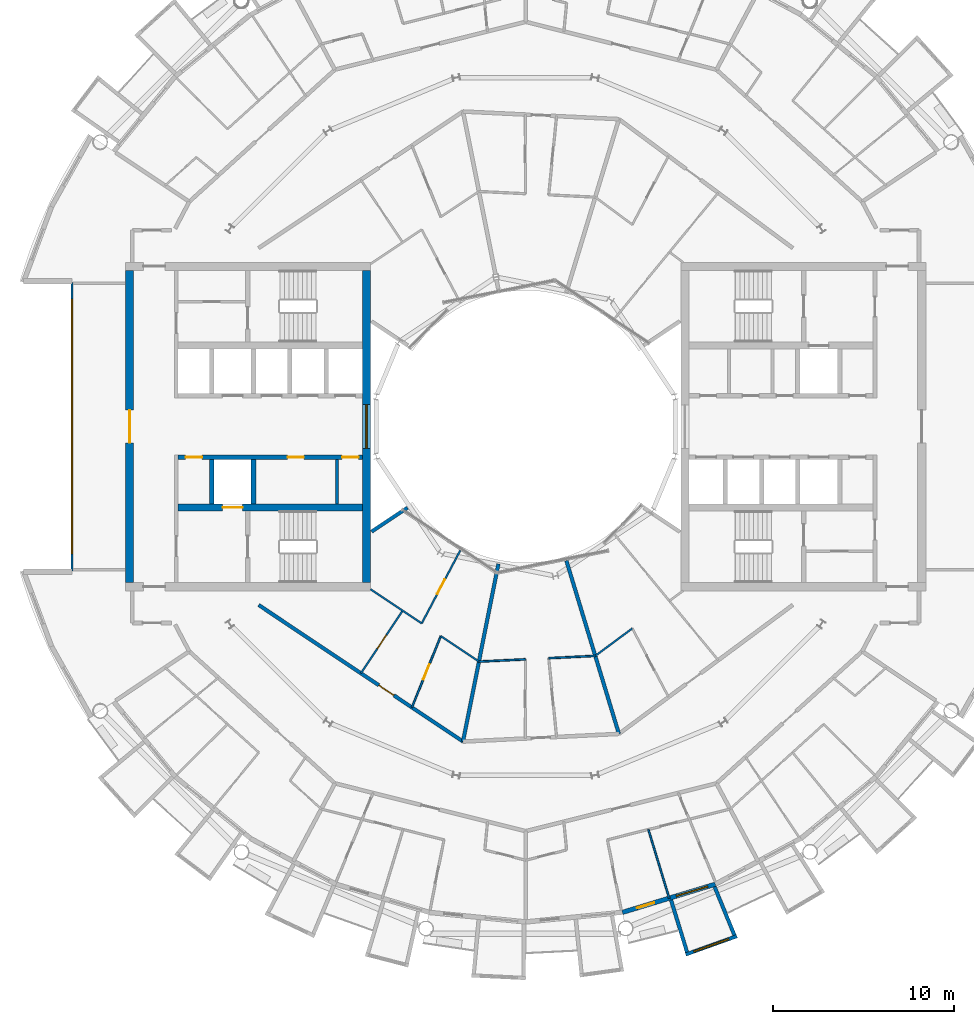
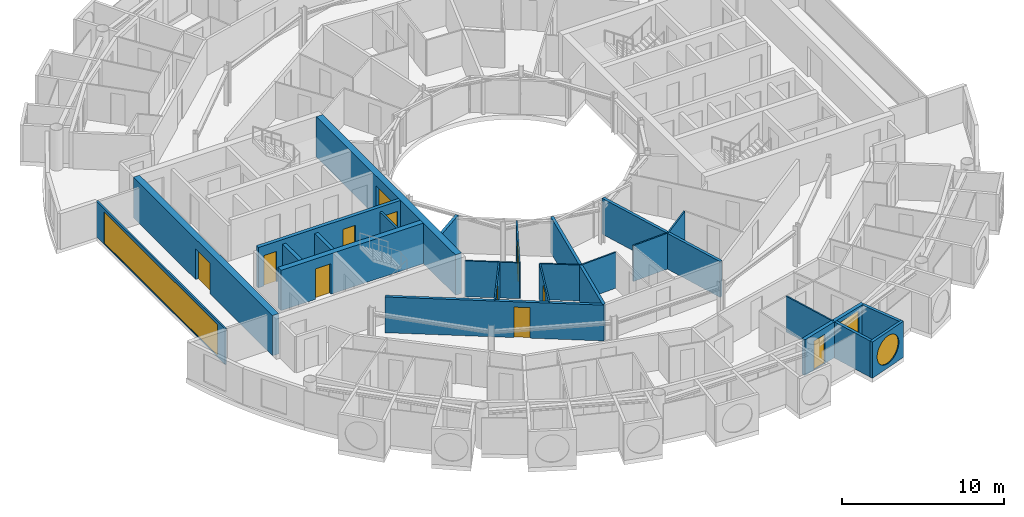
# One storey, part 17 of 29: 25 walls, 10 doors, 4 windows, 14 openings.
"""IFC4 building model written with IfcOpenShell, lengths in metres."""

from ifc_helpers import new_model, si_unit, direction, frame, frame_2d, origin, place, context, subcontext, project, spatial, rectangle, circle, extrude, material, layer, layer_set, type_object, element, fill, save


model = new_model("IFC4")

# Units and contexts
model_context = context("Model", 3, precision=1e-05, world=origin(), true_north=direction((0.0, 1.0)))
body_context = subcontext(model_context, "Body", "Model", "MODEL_VIEW")
ifc_project = project(units=[si_unit("LENGTHUNIT", "METRE"), si_unit("AREAUNIT", "SQUARE_METRE"), si_unit("VOLUMEUNIT", "CUBIC_METRE"), si_unit("PLANEANGLEUNIT", "RADIAN"), si_unit("MASSUNIT", "GRAM", prefix="KILO")], contexts=[model_context])

# Site, building, storey
site_placement = place(None, origin())
site = spatial("IfcSite", under=ifc_project, at=site_placement, CompositionType="ELEMENT")
building_placement = place(site_placement, origin())
building = spatial("IfcBuilding", under=site, at=building_placement, Name="Maasbend Ring Residences", CompositionType="ELEMENT")
storey_placement = place(building_placement, frame((0.0, 0.0, 190.199951171875)))
storey = spatial("IfcBuildingStorey", under=building, at=storey_placement, Name="L54", CompositionType="ELEMENT", Elevation=190.199951171875)

# Wall, openings, doors
ifc_material_1 = material(Name="Concrete C50/60", Category="concrete")
ifc_layer_1 = layer(ifc_material_1, 0.25)
ifc_layer_set_1 = layer_set([ifc_layer_1], Name="Concrete C50/60")
wall_type_1 = type_object("IfcWallType", Name="CORE WALL 250 C50/60", PredefinedType="SHEAR", material=ifc_layer_set_1)
wall_1_placement = place(storey_placement, frame((-9.0, -1.699951171875, 0.0), z_axis=(0.0, 0.0, 1.0), x_axis=(-1.0, 0.0, 0.0)))
wall_1 = element("IfcWall", 1, at=wall_1_placement, inside=storey, type_object=wall_type_1, Name="L54 core W wall SPN", PredefinedType="SHEAR", context=body_context, shape_type="SweptSolid", body=[
    extrude(rectangle(XDim=10.14990234375, YDim=0.25, at=frame_2d((5.074951171875, 0.0))), origin(), (0.0, 0.0, 1.0), 3.050048828125),
])
opening_1_placement = place(wall_1_placement, frame((0.21240234375, 0.0, 0.0)))
opening_1 = element("IfcOpeningElement", 2, at=opening_1_placement, cuts=wall_1, Name="Opening D-W5406", PredefinedType="OPENING", context=body_context, shape_type="SweptSolid", body=[
    extrude(rectangle(XDim=0.89990234375, YDim=2.300048828125, at=frame_2d((0.449951171875, 1.14990234375))), frame((0.0, 0.135009765625, 0.0), z_axis=(0.0, -1.0, 0.0), x_axis=(1.0, 0.0, 0.0)), (0.0, 0.0, 1.0), 0.27001953125),
])
opening_2_placement = place(wall_1_placement, frame((3.22509765625, 0.0, 0.0)))
opening_2 = element("IfcOpeningElement", 3, at=opening_2_placement, cuts=wall_1, Name="Opening D-W5407", PredefinedType="OPENING", context=body_context, shape_type="SweptSolid", body=[
    extrude(rectangle(XDim=0.89990234375, YDim=2.300048828125, at=frame_2d((0.449951171875, 1.14990234375))), frame((0.0, 0.135009765625, 0.0), z_axis=(0.0, -1.0, 0.0), x_axis=(1.0, 0.0, 0.0)), (0.0, 0.0, 1.0), 0.27001953125),
])
opening_3_placement = place(wall_1_placement, frame((8.83740234375, 0.0, 0.0)))
opening_3 = element("IfcOpeningElement", 4, at=opening_3_placement, cuts=wall_1, Name="Opening D-W5408", PredefinedType="OPENING", context=body_context, shape_type="SweptSolid", body=[
    extrude(rectangle(XDim=0.89990234375, YDim=2.300048828125, at=frame_2d((0.449951171875, 1.14990234375))), frame((0.0, 0.135009765625, 0.0), z_axis=(0.0, -1.0, 0.0), x_axis=(1.0, 0.0, 0.0)), (0.0, 0.0, 1.0), 0.27001953125),
])
ifc_material_2 = material(Name="Steel, powder coated", Category="steel")
door_type_1 = type_object("IfcDoorType", Name="ROOM DOOR 900 X 2300 FD30S", OperationType="NOTDEFINED", PredefinedType="DOOR", material=ifc_material_2)
door_1_placement = place(opening_1_placement, origin())
door_1 = element("IfcDoor", 5, at=door_1_placement, inside=storey, type_object=door_type_1, Name="Room door L54", OperationType="SINGLE_SWING_RIGHT", OverallHeight=2.300048828125, OverallWidth=0.89990234375, PredefinedType="DOOR", context=body_context, shape_type="SweptSolid", body=[
    extrude(rectangle(XDim=0.89990234375, YDim=2.300048828125, at=frame_2d((0.449951171875, 1.14990234375))), frame((0.0, 0.02490234375, 0.0), z_axis=(0.0, -1.0, 0.0), x_axis=(1.0, 0.0, 0.0)), (0.0, 0.0, 1.0), 0.050048828125),
])
fill(opening_1, door_1)
door_2_placement = place(opening_2_placement, origin())
door_2 = element("IfcDoor", 6, at=door_2_placement, inside=storey, type_object=door_type_1, Name="Room door L54", OperationType="SINGLE_SWING_RIGHT", OverallHeight=2.300048828125, OverallWidth=0.89990234375, PredefinedType="DOOR", context=body_context, shape_type="SweptSolid", body=[
    extrude(rectangle(XDim=0.89990234375, YDim=2.300048828125, at=frame_2d((0.449951171875, 1.14990234375))), frame((0.0, 0.02490234375, 0.0), z_axis=(0.0, -1.0, 0.0), x_axis=(1.0, 0.0, 0.0)), (0.0, 0.0, 1.0), 0.050048828125),
])
fill(opening_2, door_2)
door_3_placement = place(opening_3_placement, origin())
door_3 = element("IfcDoor", 7, at=door_3_placement, inside=storey, type_object=door_type_1, Name="Room door L54", OperationType="SINGLE_SWING_LEFT", OverallHeight=2.300048828125, OverallWidth=0.89990234375, PredefinedType="DOOR", context=body_context, shape_type="SweptSolid", body=[
    extrude(rectangle(XDim=0.89990234375, YDim=2.300048828125, at=frame_2d((0.449951171875, 1.14990234375))), frame((0.0, 0.02490234375, 0.0), z_axis=(0.0, -1.0, 0.0), x_axis=(1.0, 0.0, 0.0)), (0.0, 0.0, 1.0), 0.050048828125),
])
fill(opening_3, door_3)

# Wall, opening, door
ifc_material_3 = material(Name="Concrete C50/60", Category="concrete")
ifc_layer_2 = layer(ifc_material_3, 0.375)
ifc_layer_set_2 = layer_set([ifc_layer_2], Name="Concrete C50/60")
wall_type_2 = type_object("IfcWallType", Name="CORE WALL 375 C50/60", PredefinedType="SHEAR", material=ifc_layer_set_2)
wall_2_placement = place(storey_placement, frame((-9.0, -4.46240234375, 0.0), z_axis=(0.0, 0.0, 1.0), x_axis=(-1.0, 0.0, 0.0)))
wall_2 = element("IfcWall", 8, at=wall_2_placement, inside=storey, type_object=wall_type_2, Name="L54 core W wall BN", PredefinedType="SHEAR", context=body_context, shape_type="SweptSolid", body=[
    extrude(rectangle(XDim=10.14990234375, YDim=0.375, at=frame_2d((5.074951171875, 0.0))), origin(), (0.0, 0.0, 1.0), 3.050048828125),
])
opening_4_placement = place(wall_2_placement, frame((6.60009765625, 0.0, 0.0)))
opening_4 = element("IfcOpeningElement", 9, at=opening_4_placement, cuts=wall_2, Name="Opening LD-W5401", PredefinedType="OPENING", context=body_context, shape_type="SweptSolid", body=[
    extrude(rectangle(XDim=1.10009765625, YDim=2.300048828125, at=frame_2d((0.550048828125, 1.14990234375))), frame((0.0, 0.197509765625, 0.0), z_axis=(0.0, -1.0, 0.0), x_axis=(1.0, 0.0, 0.0)), (0.0, 0.0, 1.0), 0.39501953125),
])
ifc_material_4 = material(Name="Stainless steel 316", Category="steel")
door_type_2 = type_object("IfcDoorType", Name="LANDING DOOR 1100 X 2300 FD60", OperationType="DOUBLE_DOOR_SLIDING", PredefinedType="DOOR", material=ifc_material_4)
door_4_placement = place(opening_4_placement, origin())
door_4 = element("IfcDoor", 10, at=door_4_placement, inside=storey, type_object=door_type_2, Name="Landing door FF-W L54", OperationType="DOUBLE_DOOR_SLIDING", OverallHeight=2.300048828125, OverallWidth=1.10009765625, PredefinedType="DOOR", context=body_context, shape_type="SweptSolid", body=[
    extrude(rectangle(XDim=1.10009765625, YDim=2.300048828125, at=frame_2d((0.550048828125, 1.14990234375))), frame((0.0, 0.02490234375, 0.0), z_axis=(0.0, -1.0, 0.0), x_axis=(1.0, 0.0, 0.0)), (0.0, 0.0, 1.0), 0.050048828125),
])
fill(opening_4, door_4)

ifc_material_5 = material(Name="Concrete C50/60", Category="concrete")
ifc_layer_3 = layer(ifc_material_5, 0.449951171875)
ifc_layer_set_3 = layer_set([ifc_layer_3], Name="Concrete C50/60")
wall_type_3 = type_object("IfcWallType", Name="CORE WALL 450 C50/60", PredefinedType="SHEAR", material=ifc_layer_set_3)
wall_3_placement = place(storey_placement, frame((-21.824951171875, -8.60009765625, 0.0), z_axis=(0.0, 0.0, 1.0), x_axis=(0.0, 1.0, 0.0)))
wall_3 = element("IfcWall", 11, at=wall_3_placement, inside=storey, type_object=wall_type_3, Name="L54 core W wall POUT", PredefinedType="SHEAR", context=body_context, shape_type="SweptSolid", body=[
    extrude(rectangle(XDim=17.2001953125, YDim=0.449951171875, at=frame_2d((8.60009765625, 0.0))), origin(), (0.0, 0.0, 1.0), 3.050048828125),
])
opening_5_placement = place(wall_3_placement, frame((7.699951171875, 0.0, 0.0)))
opening_5 = element("IfcOpeningElement", 12, at=opening_5_placement, cuts=wall_3, Name="Opening D-W5416", PredefinedType="OPENING", context=body_context, shape_type="SweptSolid", body=[
    extrude(rectangle(XDim=1.800048828125, YDim=2.300048828125, at=frame_2d((0.89990234375, 1.14990234375))), frame((0.0, 0.23486328125, 0.0), z_axis=(0.0, -1.0, 0.0), x_axis=(1.0, 0.0, 0.0)), (0.0, 0.0, 1.0), 0.469970703125),
])
ifc_material_6 = material(Name="Aluminium frame, clear glass", Category="aluminium")
door_type_3 = type_object("IfcDoorType", Name="ENTRANCE DOOR 1800 X 2300 FD60", OperationType="NOTDEFINED", PredefinedType="DOOR", material=ifc_material_6)
door_5_placement = place(opening_5_placement, origin())
door_5 = element("IfcDoor", 13, at=door_5_placement, inside=storey, type_object=door_type_3, Name="Lobby glazed door L54", OperationType="SINGLE_SWING_LEFT", OverallHeight=2.300048828125, OverallWidth=1.800048828125, PredefinedType="DOOR", context=body_context, shape_type="SweptSolid", body=[
    extrude(rectangle(XDim=1.800048828125, YDim=2.300048828125, at=frame_2d((0.89990234375, 1.14990234375))), frame((0.0, 0.02490234375, 0.0), z_axis=(0.0, -1.0, 0.0), x_axis=(1.0, 0.0, 0.0)), (0.0, 0.0, 1.0), 0.050048828125),
])
fill(opening_5, door_5)

# Wall, opening, window
wall_4_placement = place(storey_placement, frame((-8.77490234375, 8.60009765625, 0.0), z_axis=(0.0, 0.0, 1.0), x_axis=(0.0, -1.0, 0.0)))
wall_4 = element("IfcWall", 14, at=wall_4_placement, inside=storey, type_object=wall_type_3, Name="L54 core W wall PIN", PredefinedType="SHEAR", context=body_context, shape_type="SweptSolid", body=[
    extrude(rectangle(XDim=17.2001953125, YDim=0.449951171875, at=frame_2d((8.60009765625, 0.0))), origin(), (0.0, 0.0, 1.0), 3.050048828125),
])
opening_6_placement = place(wall_4_placement, frame((7.39990234375, 0.0, 0.10009765625)))
opening_6 = element("IfcOpeningElement", 15, at=opening_6_placement, cuts=wall_4, Name="Opening W-W5401", PredefinedType="OPENING", context=body_context, shape_type="SweptSolid", body=[
    extrude(rectangle(XDim=2.39990234375, YDim=2.199951171875, at=frame_2d((1.199951171875, 1.10009765625))), frame((0.0, 0.23486328125, 0.0), z_axis=(0.0, -1.0, 0.0), x_axis=(1.0, 0.0, 0.0)), (0.0, 0.0, 1.0), 0.469970703125),
])
ifc_material_7 = material(Name="Aluminium frame and clear glass", Category="aluminium")
window_type_1 = type_object("IfcWindowType", Name="FIXED WINDOW 2400 X 2200", PartitioningType="SINGLE_PANEL", PredefinedType="WINDOW", material=ifc_material_7)
window_1_placement = place(opening_6_placement, origin())
window_1 = element("IfcWindow", 16, at=window_1_placement, inside=storey, type_object=window_type_1, Name="Lobby window L54", OverallHeight=2.199951171875, OverallWidth=2.39990234375, PartitioningType="SINGLE_PANEL", PredefinedType="WINDOW", context=body_context, shape_type="SweptSolid", body=[
    extrude(rectangle(XDim=2.39990234375, YDim=2.199951171875, at=frame_2d((1.199951171875, 1.10009765625))), frame((0.0, 0.030029296875, 0.0), z_axis=(0.0, -1.0, 0.0), x_axis=(1.0, 0.0, 0.0)), (0.0, 0.0, 1.0), 0.06005859375),
])
fill(opening_6, window_1)

# Wall, opening, door
ifc_material_8 = material(Name="Concrete C30/37", Category="concrete")
ifc_layer_4 = layer(ifc_material_8, 0.199951171875)
ifc_layer_set_4 = layer_set([ifc_layer_4], Name="Concrete C30/37")
wall_type_4 = type_object("IfcWallType", Name="CORRIDOR WALL 200 CONCRETE", PredefinedType="PARTITIONING", material=ifc_layer_set_4)
wall_5_placement = place(storey_placement, frame((-14.717041015625, -9.833984375, 0.0), z_axis=(0.0, 0.0, 1.0), x_axis=(0.831492679744, -0.555535708603, 0.0)))
wall_5 = element("IfcWall", 17, at=wall_5_placement, inside=storey, type_object=wall_type_4, Name="U-L54-w019", PredefinedType="PARTITIONING", context=body_context, shape_type="SweptSolid", body=[
    extrude(rectangle(XDim=13.54931640625, YDim=0.199951171875, at=frame_2d((6.774658203125, 0.0))), origin(), (0.0, 0.0, 1.0), 2.699951171875),
])
opening_7_placement = place(wall_5_placement, frame((7.966064453125, 0.0, 0.0)))
opening_7 = element("IfcOpeningElement", 18, at=opening_7_placement, cuts=wall_5, Name="Opening D-5460", PredefinedType="OPENING", context=body_context, shape_type="SweptSolid", body=[
    extrude(rectangle(XDim=1.0, YDim=2.300048828125, at=frame_2d((0.5, 1.14990234375))), frame((0.0, 0.10986328125, 0.0), z_axis=(0.0, -1.0, 0.0), x_axis=(1.0, 0.0, 0.0)), (0.0, 0.0, 1.0), 0.219970703125),
])
ifc_material_9 = material(Name="Timber, fire-rated, painted", Category="wood")
door_type_4 = type_object("IfcDoorType", Name="FLAT ENTRANCE DOOR 1000 X 2300 FIRE-RATED", OperationType="NOTDEFINED", PredefinedType="DOOR", material=ifc_material_9)
door_6_placement = place(opening_7_placement, origin())
door_6 = element("IfcDoor", 19, at=door_6_placement, inside=storey, type_object=door_type_4, Name="D-5460", OperationType="SINGLE_SWING_RIGHT", OverallHeight=2.300048828125, OverallWidth=1.0, PredefinedType="DOOR", context=body_context, shape_type="SweptSolid", body=[
    extrude(rectangle(XDim=1.0, YDim=2.300048828125, at=frame_2d((0.5, 1.14990234375))), frame((0.0, 0.02490234375, 0.0), z_axis=(0.0, -1.0, 0.0), x_axis=(1.0, 0.0, 0.0)), (0.0, 0.0, 1.0), 0.050048828125),
])
fill(opening_7, door_6)

# Wall, opening, window
ifc_material_10 = material(Name="Pale anodised aluminium panel", Category="aluminium")
ifc_layer_5 = layer(ifc_material_10, 0.199951171875)
ifc_layer_set_5 = layer_set([ifc_layer_5], Name="EW-BOX")
wall_type_5 = type_object("IfcWallType", Name="EW-BOX", PredefinedType="SOLIDWALL", material=ifc_layer_set_5)
wall_6_placement = place(storey_placement, frame((8.820068359375, -29.093017578125, -0.030029296875), z_axis=(0.0, 0.0, 1.0), x_axis=(0.941461077774, 0.337121697664, 0.0)))
wall_6 = element("IfcWall", 20, at=wall_6_placement, inside=storey, type_object=wall_type_5, Name="Box front S14", PredefinedType="SOLIDWALL", context=body_context, shape_type="SweptSolid", body=[
    extrude(rectangle(XDim=2.9931640625, YDim=0.199951171875, at=frame_2d((1.49658203125, 0.0))), origin(), (0.0, 0.0, 1.0), 2.72998046875),
])
opening_8_placement = place(wall_6_placement, frame((0.45654296875, 0.0, 0.330078125)))
opening_8 = element("IfcOpeningElement", 21, at=opening_8_placement, cuts=wall_6, Name="Opening W-RD", PredefinedType="OPENING", context=body_context, shape_type="SweptSolid", body=[
    extrude(circle(Radius=1.0400390625, at=frame_2d((1.0400390625, 1.0400390625))), frame((0.0, 0.10986328125, 0.0), z_axis=(0.0, -1.0, 0.0), x_axis=(1.0, 0.0, 0.0)), (0.0, 0.0, 1.0), 0.219970703125),
])
ifc_material_11 = material(Name="Aluminium and clear glass", Category="aluminium")
window_type_2 = type_object("IfcWindowType", Name="W-RD", PartitioningType="SINGLE_PANEL", PredefinedType="WINDOW", material=ifc_material_11)
window_2_placement = place(opening_8_placement, origin())
window_2 = element("IfcWindow", 22, at=window_2_placement, inside=storey, type_object=window_type_2, Name="Round window S14", OverallHeight=2.080078125, OverallWidth=2.080078125, PartitioningType="SINGLE_PANEL", PredefinedType="WINDOW", context=body_context, shape_type="SweptSolid", body=[
    extrude(circle(Radius=1.0400390625, at=frame_2d((1.0400390625, 1.0400390625))), frame((0.0, 0.030029296875, 0.0), z_axis=(0.0, -1.0, 0.0), x_axis=(1.0, 0.0, 0.0)), (0.0, 0.0, 1.0), 0.06005859375),
])
fill(opening_8, window_2)

# Walls
wall_7_placement = place(storey_placement, frame((8.009033203125, -26.092041015625, -0.030029296875), z_axis=(0.0, 0.0, 1.0), x_axis=(0.293406695073, -0.955987715029, 0.0)))
element("IfcWall", 23, at=wall_7_placement, inside=storey, type_object=wall_type_5, Name="Box side wall S14 left", PredefinedType="SOLIDWALL", context=body_context, shape_type="SweptSolid", body=[
    extrude(rectangle(XDim=3.00634765625, YDim=0.199951171875, at=frame_2d((1.503173828125, 0.0))), origin(), (0.0, 0.0, 1.0), 2.72998046875),
])
wall_8_placement = place(storey_placement, frame((10.408935546875, -25.364013671875, -0.030029296875), z_axis=(0.0, 0.0, 1.0), x_axis=(0.379509886562, -0.925187681501, 0.0)))
element("IfcWall", 24, at=wall_8_placement, inside=storey, type_object=wall_type_5, Name="Box side wall S14 right", PredefinedType="SOLIDWALL", context=body_context, shape_type="SweptSolid", body=[
    extrude(rectangle(XDim=2.882568359375, YDim=0.199951171875, at=frame_2d((1.44140625, 0.0))), origin(), (0.0, 0.0, 1.0), 2.72998046875),
])

# Wall, openings, door, window
ifc_material_12 = material(Name="Aluminium clad insulated panel", Category="aluminium")
ifc_layer_6 = layer(ifc_material_12, 0.25)
ifc_layer_set_6 = layer_set([ifc_layer_6], Name="EW-GL")
wall_type_6 = type_object("IfcWallType", Name="EW-GL", PredefinedType="SOLIDWALL", material=ifc_layer_set_6)
wall_9_placement = place(storey_placement, frame((5.325927734375, -26.77490234375, 0.0), z_axis=(0.0, 0.0, 1.0), x_axis=(0.956965678721, 0.290201119486, 0.0)))
wall_9 = element("IfcWall", 25, at=wall_9_placement, inside=storey, type_object=wall_type_6, Name="External wall S07", PredefinedType="SOLIDWALL", context=body_context, shape_type="SweptSolid", body=[
    extrude(rectangle(XDim=5.351318359375, YDim=0.25, at=frame_2d((2.67578125, 0.0))), origin(), (0.0, 0.0, 1.0), 2.699951171875),
])
opening_9_placement = place(wall_9_placement, frame((0.841064453125, 0.0, 0.0)))
opening_9 = element("IfcOpeningElement", 26, at=opening_9_placement, cuts=wall_9, Name="Opening D-LG", PredefinedType="OPENING", context=body_context, shape_type="SweptSolid", body=[
    extrude(rectangle(XDim=1.0, YDim=2.199951171875, at=frame_2d((0.5, 1.10009765625))), frame((0.0, 0.135009765625, 0.0), z_axis=(0.0, -1.0, 0.0), x_axis=(1.0, 0.0, 0.0)), (0.0, 0.0, 1.0), 0.27001953125),
])
opening_10_placement = place(wall_9_placement, frame((3.110595703125, 0.0, 0.300048828125)))
opening_10 = element("IfcOpeningElement", 27, at=opening_10_placement, cuts=wall_9, Name="Opening W-BX", PredefinedType="OPENING", context=body_context, shape_type="SweptSolid", body=[
    extrude(rectangle(XDim=1.800048828125, YDim=2.10009765625, at=frame_2d((0.89990234375, 1.050048828125))), frame((0.0, 0.135009765625, 0.0), z_axis=(0.0, -1.0, 0.0), x_axis=(1.0, 0.0, 0.0)), (0.0, 0.0, 1.0), 0.27001953125),
])
ifc_material_13 = material(Name="Aluminium and clear glass", Category="aluminium")
door_type_5 = type_object("IfcDoorType", Name="D-LG", OperationType="SINGLE_SWING_LEFT", PredefinedType="DOOR", material=ifc_material_13)
door_7_placement = place(opening_9_placement, origin())
door_7 = element("IfcDoor", 28, at=door_7_placement, inside=storey, type_object=door_type_5, Name="Loggia door S13", OperationType="SINGLE_SWING_LEFT", OverallHeight=2.199951171875, OverallWidth=1.0, PredefinedType="DOOR", context=body_context, shape_type="SweptSolid", body=[
    extrude(rectangle(XDim=1.0, YDim=2.199951171875, at=frame_2d((0.5, 1.10009765625))), frame((0.0, 0.02490234375, 0.0), z_axis=(0.0, -1.0, 0.0), x_axis=(1.0, 0.0, 0.0)), (0.0, 0.0, 1.0), 0.050048828125),
])
fill(opening_9, door_7)
ifc_material_14 = material(Name="Aluminium and clear glass", Category="aluminium")
window_type_3 = type_object("IfcWindowType", Name="W-BX", PartitioningType="DOUBLE_PANEL_VERTICAL", PredefinedType="WINDOW", material=ifc_material_14)
window_3_placement = place(opening_10_placement, origin())
window_3 = element("IfcWindow", 29, at=window_3_placement, inside=storey, type_object=window_type_3, Name="Window S14 room to box", OverallHeight=2.10009765625, OverallWidth=1.800048828125, PartitioningType="SINGLE_PANEL", PredefinedType="WINDOW", context=body_context, shape_type="SweptSolid", body=[
    extrude(rectangle(XDim=1.800048828125, YDim=2.10009765625, at=frame_2d((0.89990234375, 1.050048828125))), frame((0.0, 0.030029296875, 0.0), z_axis=(0.0, -1.0, 0.0), x_axis=(1.0, 0.0, 0.0)), (0.0, 0.0, 1.0), 0.06005859375),
])
fill(opening_10, window_3)

# Wall, opening, window
ifc_material_15 = material(Name="Aluminium frame and clear glass", Category="aluminium")
ifc_layer_7 = layer(ifc_material_15, 0.1201171875)
ifc_layer_set_7 = layer_set([ifc_layer_7], Name="GLAZED SCREEN WALL 120 EI 60")
wall_type_7 = type_object("IfcWallType", Name="GLAZED SCREEN WALL 120 EI 60", PredefinedType="PARTITIONING", material=ifc_layer_set_7)
wall_10_placement = place(storey_placement, frame((-25.0, 7.949951171875, 0.0), z_axis=(0.0, 0.0, 1.0), x_axis=(0.0, -1.0, 0.0)))
wall_10 = element("IfcWall", 30, at=wall_10_placement, inside=storey, type_object=wall_type_7, Name="L54 core W wall FACE", PredefinedType="PARTITIONING", context=body_context, shape_type="SweptSolid", body=[
    extrude(rectangle(XDim=15.89990234375, YDim=0.1201171875, at=frame_2d((7.949951171875, 0.0))), origin(), (0.0, 0.0, 1.0), 2.699951171875),
])
opening_11_placement = place(wall_10_placement, frame((0.949951171875, 0.0, 0.10009765625)))
opening_11 = element("IfcOpeningElement", 31, at=opening_11_placement, cuts=wall_10, Name="Opening W-W5402", PredefinedType="OPENING", context=body_context, shape_type="SweptSolid", body=[
    extrude(rectangle(XDim=14.0, YDim=2.35009765625, at=frame_2d((7.0, 1.175048828125))), frame((0.0, 0.070068359375, 0.0), z_axis=(0.0, -1.0, 0.0), x_axis=(1.0, 0.0, 0.0)), (0.0, 0.0, 1.0), 0.14013671875),
])
ifc_material_16 = material(Name="Aluminium frame and clear glass", Category="aluminium")
window_type_4 = type_object("IfcWindowType", Name="FIXED WINDOW 14000 X 2350", PartitioningType="SINGLE_PANEL", PredefinedType="WINDOW", material=ifc_material_16)
window_4_placement = place(opening_11_placement, origin())
window_4 = element("IfcWindow", 32, at=window_4_placement, inside=storey, type_object=window_type_4, Name="Lobby window L54", OverallHeight=2.35009765625, OverallWidth=14.0, PartitioningType="SINGLE_PANEL", PredefinedType="WINDOW", context=body_context, shape_type="SweptSolid", body=[
    extrude(rectangle(XDim=14.0, YDim=2.35009765625, at=frame_2d((7.0, 1.175048828125))), frame((0.0, 0.030029296875, 0.0), z_axis=(0.0, -1.0, 0.0), x_axis=(1.0, 0.0, 0.0)), (0.0, 0.0, 1.0), 0.06005859375),
])
fill(opening_11, window_4)

# Walls
ifc_material_17 = material(Name="Gypsum board on steel studs", Category="steel")
ifc_layer_8 = layer(ifc_material_17, 0.10009765625)
ifc_layer_set_8 = layer_set([ifc_layer_8], Name="PARTITION 100 GYPSUM")
wall_type_8 = type_object("IfcWallType", Name="PARTITION 100 GYPSUM", PredefinedType="PARTITIONING", material=ifc_layer_set_8)
wall_11_placement = place(storey_placement, frame((-2.576904296875, -12.955078125, 0.0), z_axis=(0.0, 0.0, 1.0), x_axis=(0.998796046378, 0.049055659616, 0.0)))
element("IfcWall", 33, at=wall_11_placement, inside=storey, type_object=wall_type_8, Name="U-L54-w020", PredefinedType="PARTITIONING", context=body_context, shape_type="SweptSolid", body=[
    extrude(rectangle(XDim=2.568115234375, YDim=0.10009765625, at=frame_2d((1.2841796875, 0.0))), origin(), (0.0, 0.0, 1.0), 2.699951171875),
])
wall_12_placement = place(storey_placement, frame((1.27001953125, -12.76611328125, 0.0), z_axis=(0.0, 0.0, 1.0), x_axis=(0.998790464653, 0.049169174464, 0.0)))
element("IfcWall", 34, at=wall_12_placement, inside=storey, type_object=wall_type_8, Name="U-L54-w021", PredefinedType="PARTITIONING", context=body_context, shape_type="SweptSolid", body=[
    extrude(rectangle(XDim=2.567138671875, YDim=0.10009765625, at=frame_2d((1.28369140625, 0.0))), origin(), (0.0, 0.0, 1.0), 2.699951171875),
])
wall_13_placement = place(storey_placement, frame((3.830078125, -12.64111328125, 0.0), z_axis=(0.0, 0.0, 1.0), x_axis=(0.803533389313, 0.595259684725, 0.0)))
element("IfcWall", 35, at=wall_13_placement, inside=storey, type_object=wall_type_8, Name="U-L54-w022", PredefinedType="PARTITIONING", context=body_context, shape_type="SweptSolid", body=[
    extrude(rectangle(XDim=2.543701171875, YDim=0.10009765625, at=frame_2d((1.27197265625, 0.0))), origin(), (0.0, 0.0, 1.0), 2.699951171875),
])
wall_14_placement = place(storey_placement, frame((-8.549072265625, -8.965087890625, 0.0), z_axis=(0.0, 0.0, 1.0), x_axis=(0.831463102602, -0.555579975352, 0.0)))
element("IfcWall", 36, at=wall_14_placement, inside=storey, type_object=wall_type_8, Name="U-L54-w024", PredefinedType="PARTITIONING", context=body_context, shape_type="SweptSolid", body=[
    extrude(rectangle(XDim=3.392822265625, YDim=0.10009765625, at=frame_2d((1.6962890625, 0.0))), origin(), (0.0, 0.0, 1.0), 2.699951171875),
])
wall_15_placement = place(storey_placement, frame((-4.677001953125, -11.552001953125, 0.0), z_axis=(0.0, 0.0, 1.0), x_axis=(0.83155963659, -0.555435478517, 0.0)))
element("IfcWall", 37, at=wall_15_placement, inside=storey, type_object=wall_type_8, Name="U-L54-w025", PredefinedType="PARTITIONING", context=body_context, shape_type="SweptSolid", body=[
    extrude(rectangle(XDim=2.52783203125, YDim=0.10009765625, at=frame_2d((1.263916015625, 0.0))), origin(), (0.0, 0.0, 1.0), 2.699951171875),
])

# Wall, opening, door
wall_16_placement = place(storey_placement, frame((-9.0849609375, -13.596923828125, 0.0), z_axis=(0.0, 0.0, 1.0), x_axis=(0.555528237031, 0.831497671591, 0.0)))
wall_16 = element("IfcWall", 38, at=wall_16_placement, inside=storey, type_object=wall_type_8, Name="U-L54-w045", PredefinedType="PARTITIONING", context=body_context, shape_type="SweptSolid", body=[
    extrude(rectangle(XDim=4.149169921875, YDim=0.10009765625, at=frame_2d((2.07470703125, 0.0))), origin(), (0.0, 0.0, 1.0), 2.699951171875),
])
opening_12_placement = place(wall_16_placement, frame((1.625, 0.0, 0.0)))
opening_12 = element("IfcOpeningElement", 39, at=opening_12_placement, cuts=wall_16, Name="Opening D-5462", PredefinedType="OPENING", context=body_context, shape_type="SweptSolid", body=[
    extrude(rectangle(XDim=0.89990234375, YDim=2.300048828125, at=frame_2d((0.449951171875, 1.14990234375))), frame((0.0, 0.06005859375, 0.0), z_axis=(0.0, -1.0, 0.0), x_axis=(1.0, 0.0, 0.0)), (0.0, 0.0, 1.0), 0.1201171875),
])
ifc_material_18 = material(Name="Timber, painted", Category="wood")
door_type_6 = type_object("IfcDoorType", Name="INTERNAL DOOR 900 X 2300", OperationType="NOTDEFINED", PredefinedType="DOOR", material=ifc_material_18)
door_8_placement = place(opening_12_placement, origin())
door_8 = element("IfcDoor", 40, at=door_8_placement, inside=storey, type_object=door_type_6, Name="D-5462", OperationType="SINGLE_SWING_LEFT", OverallHeight=2.300048828125, OverallWidth=0.89990234375, PredefinedType="DOOR", context=body_context, shape_type="SweptSolid", body=[
    extrude(rectangle(XDim=0.89990234375, YDim=2.300048828125, at=frame_2d((0.449951171875, 1.14990234375))), frame((0.0, 0.02490234375, 0.0), z_axis=(0.0, -1.0, 0.0), x_axis=(1.0, 0.0, 0.0)), (0.0, 0.0, 1.0), 0.050048828125),
])
fill(opening_12, door_8)

wall_17_placement = place(storey_placement, frame((-6.26904296875, -15.47802734375, 0.0), z_axis=(0.0, 0.0, 1.0), x_axis=(0.375509828455, 0.926818411952, 0.0)))
wall_17 = element("IfcWall", 41, at=wall_17_placement, inside=storey, type_object=wall_type_8, Name="U-L54-w049", PredefinedType="PARTITIONING", context=body_context, shape_type="SweptSolid", body=[
    extrude(rectangle(XDim=4.237060546875, YDim=0.10009765625, at=frame_2d((2.11865234375, 0.0))), origin(), (0.0, 0.0, 1.0), 2.699951171875),
])
opening_13_placement = place(wall_17_placement, frame((1.6689453125, 0.0, 0.0)))
opening_13 = element("IfcOpeningElement", 42, at=opening_13_placement, cuts=wall_17, Name="Opening D-5461", PredefinedType="OPENING", context=body_context, shape_type="SweptSolid", body=[
    extrude(rectangle(XDim=0.89990234375, YDim=2.300048828125, at=frame_2d((0.449951171875, 1.14990234375))), frame((0.0, 0.06005859375, 0.0), z_axis=(0.0, -1.0, 0.0), x_axis=(1.0, 0.0, 0.0)), (0.0, 0.0, 1.0), 0.1201171875),
])
door_9_placement = place(opening_13_placement, origin())
door_9 = element("IfcDoor", 43, at=door_9_placement, inside=storey, type_object=door_type_6, Name="D-5461", OperationType="SINGLE_SWING_LEFT", OverallHeight=2.300048828125, OverallWidth=0.89990234375, PredefinedType="DOOR", context=body_context, shape_type="SweptSolid", body=[
    extrude(rectangle(XDim=0.89990234375, YDim=2.300048828125, at=frame_2d((0.449951171875, 1.14990234375))), frame((0.0, 0.02490234375, 0.0), z_axis=(0.0, -1.0, 0.0), x_axis=(1.0, 0.0, 0.0)), (0.0, 0.0, 1.0), 0.050048828125),
])
fill(opening_13, door_9)

wall_18_placement = place(storey_placement, frame((-5.72900390625, -10.84912109375, 0.0), z_axis=(0.0, 0.0, 1.0), x_axis=(0.466962677975, 0.884277025246, 0.0)))
wall_18 = element("IfcWall", 44, at=wall_18_placement, inside=storey, type_object=wall_type_8, Name="U-L54-w051", PredefinedType="PARTITIONING", context=body_context, shape_type="SweptSolid", body=[
    extrude(rectangle(XDim=4.548583984375, YDim=0.10009765625, at=frame_2d((2.2744140625, 0.0))), origin(), (0.0, 0.0, 1.0), 2.699951171875),
])
opening_14_placement = place(wall_18_placement, frame((1.823974609375, 0.0, 0.0)))
opening_14 = element("IfcOpeningElement", 45, at=opening_14_placement, cuts=wall_18, Name="Opening D-5463", PredefinedType="OPENING", context=body_context, shape_type="SweptSolid", body=[
    extrude(rectangle(XDim=0.89990234375, YDim=2.300048828125, at=frame_2d((0.449951171875, 1.14990234375))), frame((0.0, 0.06005859375, 0.0), z_axis=(0.0, -1.0, 0.0), x_axis=(1.0, 0.0, 0.0)), (0.0, 0.0, 1.0), 0.1201171875),
])
door_10_placement = place(opening_14_placement, origin())
door_10 = element("IfcDoor", 46, at=door_10_placement, inside=storey, type_object=door_type_6, Name="D-5463", OperationType="SINGLE_SWING_RIGHT", OverallHeight=2.300048828125, OverallWidth=0.89990234375, PredefinedType="DOOR", context=body_context, shape_type="SweptSolid", body=[
    extrude(rectangle(XDim=0.89990234375, YDim=2.300048828125, at=frame_2d((0.449951171875, 1.14990234375))), frame((0.0, 0.02490234375, 0.0), z_axis=(0.0, -1.0, 0.0), x_axis=(1.0, 0.0, 0.0)), (0.0, 0.0, 1.0), 0.050048828125),
])
fill(opening_14, door_10)

# Walls
wall_19_placement = place(storey_placement, frame((6.760009765625, -22.20703125, 0.0), z_axis=(0.0, 0.0, 1.0), x_axis=(0.291291575636, -0.956634317785, 0.0)))
element("IfcWall", 47, at=wall_19_placement, inside=storey, type_object=wall_type_8, Name="U-L54-w076", PredefinedType="PARTITIONING", context=body_context, shape_type="SweptSolid", body=[
    extrude(rectangle(XDim=3.9619140625, YDim=0.10009765625, at=frame_2d((1.98095703125, 0.0))), origin(), (0.0, 0.0, 1.0), 2.699951171875),
])
ifc_material_19 = material(Name="Gypsum board on steel studs", Category="steel")
ifc_layer_9 = layer(ifc_material_19, 0.14990234375)
ifc_layer_set_9 = layer_set([ifc_layer_9], Name="PARTITION 150 EI 60")
wall_type_9 = type_object("IfcWallType", Name="PARTITION 150 EI 60", PredefinedType="PARTITIONING", material=ifc_layer_set_9)
wall_20_placement = place(storey_placement, frame((-10.39990234375, -1.824951171875, 0.0), z_axis=(0.0, 0.0, 1.0), x_axis=(0.0, -1.0, 0.0)))
element("IfcWall", 48, at=wall_20_placement, inside=storey, type_object=wall_type_9, Name="L54 core W wall PRN1040", PredefinedType="PARTITIONING", context=body_context, shape_type="SweptSolid", body=[
    extrude(rectangle(XDim=2.449951171875, YDim=0.14990234375, at=frame_2d((1.22509765625, 0.0))), origin(), (0.0, 0.0, 1.0), 2.699951171875),
])
ifc_material_20 = material(Name="Concrete C30/37", Category="concrete")
ifc_layer_10 = layer(ifc_material_20, 0.199951171875)
ifc_layer_set_10 = layer_set([ifc_layer_10], Name="Concrete C30/37")
wall_type_10 = type_object("IfcWallType", Name="PARTY WALL 200 CONCRETE", PredefinedType="PARTITIONING", material=ifc_layer_set_10)
wall_21_placement = place(storey_placement, frame((-6.512939453125, -4.471923828125, 0.0), z_axis=(0.0, 0.0, 1.0), x_axis=(-0.831403409976, -0.555669299026, 0.0)))
element("IfcWall", 49, at=wall_21_placement, inside=storey, type_object=wall_type_10, Name="U-L54-w028", PredefinedType="PARTITIONING", context=body_context, shape_type="SweptSolid", body=[
    extrude(rectangle(XDim=2.382568359375, YDim=0.199951171875, at=frame_2d((1.19140625, 0.0))), origin(), (0.0, 0.0, 1.0), 2.699951171875),
])
for number, where, z_axis, x_axis, name in (
    (50, (-3.452880859375, -17.360107421875, 0.0), (0.0, 0.0, 1.0), (0.19507162238, 0.980788999807, 0.0), "U-L54-w055"),
    (51, (2.240966796875, -7.387939453125, 0.0), (0.0, 0.0, 1.0), (0.290284403441, -0.956940418793, 0.0), "U-L54-w068"),
):
    element("IfcWall", number, at=place(storey_placement, frame(where, z_axis=z_axis, x_axis=x_axis)), inside=storey, type_object=wall_type_10, Name=name, PredefinedType="PARTITIONING", context=body_context, shape_type="SweptSolid", body=[
        extrude(rectangle(XDim=9.979736328125, YDim=0.199951171875, at=frame_2d((4.98974609375, 0.0))), origin(), (0.0, 0.0, 1.0), 2.699951171875),
    ])
ifc_material_21 = material(Name="Concrete C30/37", Category="concrete")
ifc_layer_11 = layer(ifc_material_21, 0.25)
ifc_layer_set_11 = layer_set([ifc_layer_11], Name="Concrete C30/37")
wall_type_11 = type_object("IfcWallType", Name="SHAFT WALL 250 EI 120", PredefinedType="SOLIDWALL", material=ifc_layer_set_11)
for number, where, z_axis, x_axis, name in (
    (52, (-15.0, -1.824951171875, 0.0), (0.0, 0.0, 1.0), (0.0, -1.0, 0.0), "L54 core W wall D150N"),
    (53, (-17.300048828125, -1.824951171875, 0.0), (0.0, 0.0, 1.0), (0.0, -1.0, 0.0), "L54 core W wall D173N"),
):
    element("IfcWall", number, at=place(storey_placement, frame(where, z_axis=z_axis, x_axis=x_axis)), inside=storey, type_object=wall_type_11, Name=name, PredefinedType="SOLIDWALL", context=body_context, shape_type="SweptSolid", body=[
        extrude(rectangle(XDim=2.449951171875, YDim=0.25, at=frame_2d((1.22509765625, 0.0))), origin(), (0.0, 0.0, 1.0), 2.699951171875),
    ])

save(model, "model.ifc")
